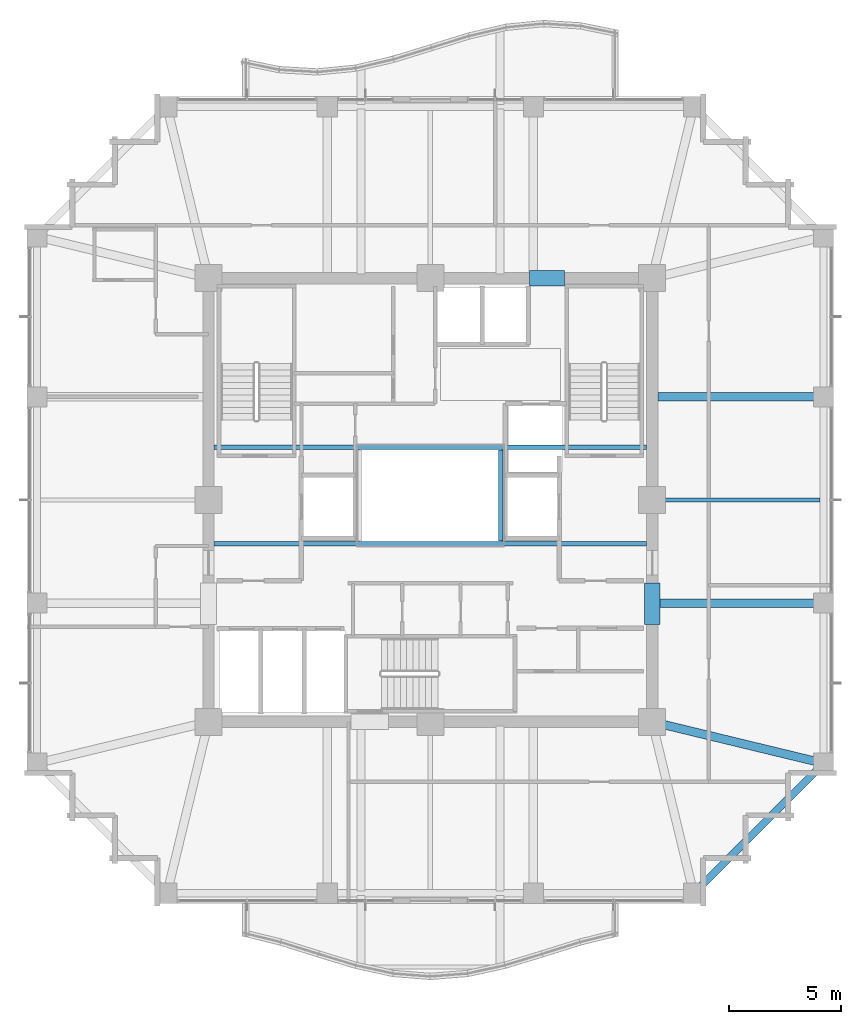
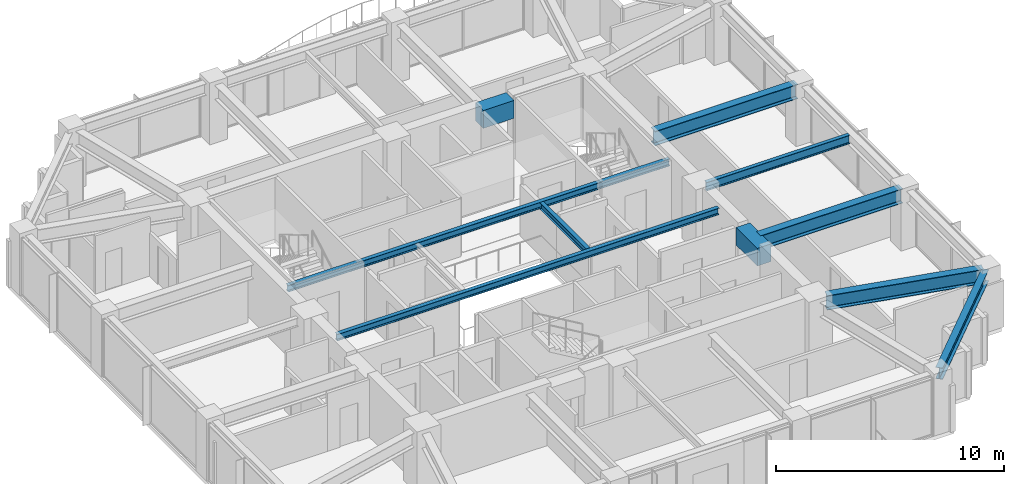
# One storey, part 12 of 31: 10 beams.
"""IFC4 building model written with IfcOpenShell, lengths in metres."""

from ifc_helpers import new_model, si_unit, direction, frame, origin, origin_2d, place, context, subcontext, project, spatial, rectangle, i_section, extrude, material, material_profile, profile_set, type_object, element, save


model = new_model("IFC4")

# Units and contexts
model_context = context("Model", 3, precision=1e-05, world=origin(), true_north=direction((0.0, 1.0)))
body_context = subcontext(model_context, "Body", "Model", "MODEL_VIEW")
ifc_project = project(units=[si_unit("LENGTHUNIT", "METRE"), si_unit("AREAUNIT", "SQUARE_METRE"), si_unit("VOLUMEUNIT", "CUBIC_METRE"), si_unit("PLANEANGLEUNIT", "RADIAN"), si_unit("MASSUNIT", "GRAM", prefix="KILO")], contexts=[model_context])

# Site, building, storey
site_placement = place(None, origin())
site = spatial("IfcSite", under=ifc_project, at=site_placement, CompositionType="ELEMENT")
building_placement = place(site_placement, origin())
building = spatial("IfcBuilding", under=site, at=building_placement, Name="Kolvaren Belvedere", CompositionType="ELEMENT")
storey_placement = place(building_placement, frame((0.0, 0.0, 134.89990234375)))
storey = spatial("IfcBuildingStorey", under=building, at=storey_placement, Name="L39", CompositionType="ELEMENT", Elevation=134.89990234375)

# Beams
ifc_material_1 = material(Name="Structural steel ASTM A992 Grade 50", Category="steel")
ifc_material_profile_1 = material_profile(ifc_material_1, i_section(OverallWidth=0.2041015625, OverallDepth=0.35009765625, WebThickness=0.008544921875, FlangeThickness=0.01513671875, FilletRadius=0.013916015625, at=origin_2d()), Name="W14X48")
ifc_profile_set_1 = profile_set([ifc_material_profile_1], Name="Structural steel ASTM A992 Grade 50")
beam_type_1 = type_object("IfcBeamType", Name="BM-ATRIUM-W14X48", PredefinedType="BEAM", material=ifc_profile_set_1)
for number, where, z_axis, x_axis, name in (
    (1, (-9.64990234375, -1.949951171875, 2.925048828125), (1.0, 0.0, 0.0), (0.0, 1.0, 0.0), "L39 Central Atrium South Girder AS"),
    (2, (-9.64990234375, 2.35009765625, 2.925048828125), (1.0, 0.0, 0.0), (0.0, 1.0, 0.0), "L39 Central Atrium North Girder AN"),
):
    element("IfcBeam", number, at=place(storey_placement, frame(where, z_axis=z_axis, x_axis=x_axis)), inside=storey, type_object=beam_type_1, Name=name, PredefinedType="BEAM", context=body_context, shape_type="SweptSolid", body=[
        extrude(i_section(OverallWidth=0.2041015625, OverallDepth=0.35009765625, WebThickness=0.008544921875, FlangeThickness=0.01513671875, FilletRadius=0.013916015625, at=origin_2d()), origin(), (0.0, 0.0, 1.0), 19.2998046875),
    ])
beam_1_placement = place(storey_placement, frame((3.14990234375, -1.840087890625, 2.925048828125), z_axis=(0.0, 1.0, 0.0), x_axis=(-1.0, 0.0, 0.0)))
element("IfcBeam", 3, at=beam_1_placement, inside=storey, type_object=beam_type_1, Name="L39 Central Atrium East Edge Beam AE", PredefinedType="BEAM", context=body_context, shape_type="SweptSolid", body=[
    extrude(i_section(OverallWidth=0.2041015625, OverallDepth=0.35009765625, WebThickness=0.008544921875, FlangeThickness=0.01513671875, FilletRadius=0.013916015625, at=origin_2d()), origin(), (0.0, 0.0, 1.0), 4.080078125),
])
ifc_material_2 = material(Name="Structural steel ASTM A992 Grade 50", Category="steel")
ifc_material_profile_2 = material_profile(ifc_material_2, i_section(OverallWidth=0.381103515625, OverallDepth=0.77294921875, WebThickness=0.0166015625, FlangeThickness=0.027099609375, FilletRadius=0.02392578125, at=origin_2d()), Name="W30X173")
ifc_profile_set_2 = profile_set([ifc_material_profile_2], Name="Structural steel ASTM A992 Grade 50")
beam_type_2 = type_object("IfcBeamType", Name="BM-GIRD-W30X173", PredefinedType="BEAM", material=ifc_profile_set_2)
for number, where, z_axis, x_axis, name in (
    (4, (10.14990234375, 4.60009765625, 2.713623046875), (1.0, 0.0, 0.0), (0.0, 1.0, 0.0), "L39 East Radial Girder P"),
    (5, (10.14990234375, -4.60009765625, 2.713623046875), (1.0, 0.0, 0.0), (0.0, 1.0, 0.0), "L39 East Radial Girder M"),
):
    element("IfcBeam", number, at=place(storey_placement, frame(where, z_axis=z_axis, x_axis=x_axis)), inside=storey, type_object=beam_type_2, Name=name, PredefinedType="BEAM", context=body_context, shape_type="SweptSolid", body=[
        extrude(i_section(OverallWidth=0.381103515625, OverallDepth=0.77294921875, WebThickness=0.0166015625, FlangeThickness=0.027099609375, FilletRadius=0.02392578125, at=origin_2d()), origin(), (0.0, 0.0, 1.0), 7.197509765625),
    ])
beam_2_placement = place(storey_placement, frame((10.4345703125, -10.029296875, 2.713623046875), z_axis=(0.971980197119, -0.235062749937, 0.0), x_axis=(0.235062749937, 0.971980197119, 0.0)))
element("IfcBeam", 6, at=beam_2_placement, inside=storey, type_object=beam_type_2, Name="L39 Corner Core-to-Perimeter Girder CC2-E1", PredefinedType="BEAM", context=body_context, shape_type="SweptSolid", body=[
    extrude(i_section(OverallWidth=0.381103515625, OverallDepth=0.77294921875, WebThickness=0.0166015625, FlangeThickness=0.027099609375, FilletRadius=0.02392578125, at=origin_2d()), origin(), (0.0, 0.0, 1.0), 7.140625),
])
ifc_material_3 = material(Name="Structural steel ASTM A992 Grade 50", Category="steel")
ifc_material_profile_3 = material_profile(ifc_material_3, i_section(OverallWidth=0.19091796875, OverallDepth=0.4599609375, WebThickness=0.010009765625, FlangeThickness=0.01611328125, FilletRadius=0.014892578125, at=origin_2d()), Name="W18X55")
ifc_profile_set_3 = profile_set([ifc_material_profile_3], Name="Structural steel ASTM A992 Grade 50")
beam_type_3 = type_object("IfcBeamType", Name="BM-JOIST-W18X55", PredefinedType="BEAM", material=ifc_profile_set_3)
beam_3_placement = place(storey_placement, frame((10.14990234375, 0.0, 2.8701171875), z_axis=(1.0, 0.0, 0.0), x_axis=(0.0, 1.0, 0.0)))
element("IfcBeam", 7, at=beam_3_placement, inside=storey, type_object=beam_type_3, Name="L39 East Centre Floor Beam", PredefinedType="BEAM", context=body_context, shape_type="SweptSolid", body=[
    extrude(i_section(OverallWidth=0.19091796875, OverallDepth=0.4599609375, WebThickness=0.010009765625, FlangeThickness=0.01611328125, FilletRadius=0.014892578125, at=origin_2d()), origin(), (0.0, 0.0, 1.0), 7.237548828125),
])
ifc_material_4 = material(Name="Concrete C60/75", Category="concrete")
ifc_material_profile_4 = material_profile(ifc_material_4, rectangle(XDim=0.699951171875, YDim=0.949951171875, at=origin_2d()), Name="RC 700X950")
ifc_profile_set_4 = profile_set([ifc_material_profile_4], Name="Concrete C60/75")
beam_type_4 = type_object("IfcBeamType", Name="BM-LINT-950", PredefinedType="LINTEL", material=ifc_profile_set_4)
beam_4_placement = place(storey_placement, frame((4.419921875, 9.89990234375, 2.625), z_axis=(1.0, 0.0, 0.0), x_axis=(0.0, 1.0, 0.0)))
element("IfcBeam", 8, at=beam_4_placement, inside=storey, type_object=beam_type_4, Name="L39 North Core Coupling Lintel", PredefinedType="LINTEL", context=body_context, shape_type="SweptSolid", body=[
    extrude(rectangle(XDim=0.699951171875, YDim=0.949951171875, at=origin_2d()), origin(), (0.0, 0.0, 1.0), 1.56005859375),
])
beam_5_placement = place(storey_placement, frame((9.89990234375, -5.550048828125, 2.625), z_axis=(0.0, 1.0, 0.0), x_axis=(-1.0, 0.0, 0.0)))
element("IfcBeam", 9, at=beam_5_placement, inside=storey, type_object=beam_type_4, Name="L39 East Core Coupling Lintel", PredefinedType="LINTEL", context=body_context, shape_type="SweptSolid", body=[
    extrude(rectangle(XDim=0.699951171875, YDim=0.949951171875, at=origin_2d()), origin(), (0.0, 0.0, 1.0), 1.85009765625),
])
ifc_material_5 = material(Name="Structural steel ASTM A992 Grade 50", Category="steel")
ifc_material_profile_5 = material_profile(ifc_material_5, i_section(OverallWidth=0.324951171875, OverallDepth=0.615966796875, WebThickness=0.013916015625, FlangeThickness=0.021484375, FilletRadius=0.02001953125, at=origin_2d()), Name="W24X117")
ifc_profile_set_5 = profile_set([ifc_material_profile_5], Name="Structural steel ASTM A992 Grade 50")
beam_type_5 = type_object("IfcBeamType", Name="BM-SPAN-W24X117", PredefinedType="SPANDREL", material=ifc_profile_set_5)
beam_6_placement = place(storey_placement, frame((11.893310546875, -17.40673828125, 2.7919921875), z_axis=(0.707106781187, 0.707106781187, 0.0), x_axis=(-0.707106781187, 0.707106781187, 0.0)))
element("IfcBeam", 10, at=beam_6_placement, inside=storey, type_object=beam_type_5, Name="L39 Perimeter Spandrel S4-E1", PredefinedType="SPANDREL", context=body_context, shape_type="SweptSolid", body=[
    extrude(i_section(OverallWidth=0.324951171875, OverallDepth=0.615966796875, WebThickness=0.013916015625, FlangeThickness=0.021484375, FilletRadius=0.02001953125, at=origin_2d()), origin(), (0.0, 0.0, 1.0), 7.797119140625),
])

save(model, "model.ifc")
